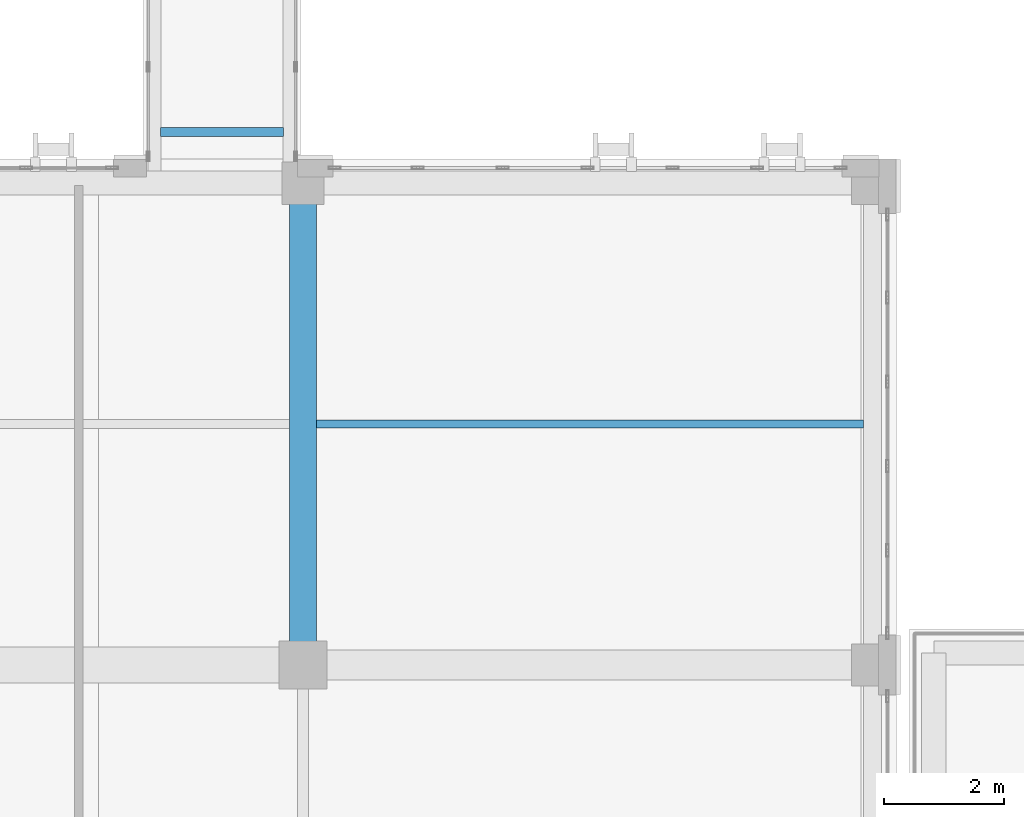
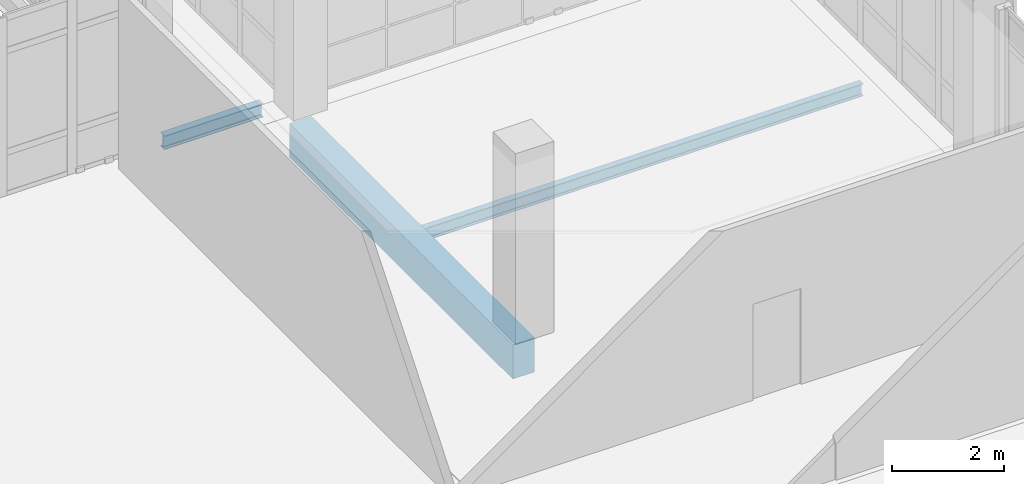
# One storey, part 45 of 165: 3 beams.
"""IFC4 building model written with IfcOpenShell, lengths in metres."""

import ifcopenshell
import ifcopenshell.guid

model = None  # the IFC model being written
_history = None  # IfcOwnerHistory: only IFC2X3 demands one
_inside = {}  # id of a spatial element -> (the spatial element, [elements in it])
_under = {}  # id of a project, library or spatial element -> (it, [spatial elements below it])
_declared = {}  # id of a project -> (the project, [libraries it declares])
_typed = {}  # id of a type object -> (the type object, [elements of that type])
_made_of = {}  # id of a material, layer set ... -> (it, [elements and type objects made of it])


def new_model(schema):
    """Start an empty IFC model of exactly this schema.

    Asked for "IFC4X3", IfcOpenShell would pick the latest addendum, in which some entities
    have other attributes; the version numbers below select the first issue.
    IFC2X3 requires an IfcOwnerHistory on every rooted entity: one is made here for all.
    """
    global model, _history
    if schema == "IFC4X3":
        model = ifcopenshell.file(schema_version=(4, 3, 0, 0))
    else:
        model = ifcopenshell.file(schema=schema)
    _inside.clear()
    _under.clear()
    _declared.clear()
    _typed.clear()
    _made_of.clear()
    _history = None
    if model.schema == "IFC2X3":
        org = make("IfcOrganization", Name="unknown")
        user = make(
            "IfcPersonAndOrganization",
            ThePerson=make("IfcPerson", FamilyName="unknown"),
            TheOrganization=org,
        )
        app = make(
            "IfcApplication",
            ApplicationDeveloper=org,
            Version="unknown",
            ApplicationFullName="unknown",
            ApplicationIdentifier="unknown",
        )
        _history = make(
            "IfcOwnerHistory",
            OwningUser=user,
            OwningApplication=app,
            ChangeAction="ADDED",
            CreationDate=0,
        )
    return model


def make(cls, **values):
    """One entity of the class cls with the attributes given. An attribute that is None is left unset."""
    return model.create_entity(
        cls, **{name: value for name, value in values.items() if value is not None}
    )


def rooted(cls, **values):
    """An entity with a GlobalId (a new one), such as an element, a storey or a relation."""
    return make(cls, GlobalId=ifcopenshell.guid.new(), OwnerHistory=_history, **values)


def si_unit(unit_type, name, prefix=None):
    """IfcSIUnit, for example si_unit("LENGTHUNIT", "METRE", prefix="MILLI")."""
    return make("IfcSIUnit", UnitType=unit_type, Prefix=prefix, Name=name)


def assignment(units):
    """IfcUnitAssignment: the units of a project."""
    return None if units is None else make("IfcUnitAssignment", Units=units)


def point(xyz):
    """IfcCartesianPoint."""
    return None if xyz is None else make("IfcCartesianPoint", Coordinates=xyz)


def direction(xyz):
    """IfcDirection."""
    return None if xyz is None else make("IfcDirection", DirectionRatios=xyz)


def frame(location, z_axis=None, x_axis=None):
    """IfcAxis2Placement3D, a coordinate frame: its origin and axes. An axis left out is left unset."""
    return make(
        "IfcAxis2Placement3D",
        Location=point(location),
        Axis=direction(z_axis),
        RefDirection=direction(x_axis),
    )


def frame_2d(location, x_axis=None):
    """IfcAxis2Placement2D, a coordinate frame in the plane: its origin and x axis."""
    return make(
        "IfcAxis2Placement2D", Location=point(location), RefDirection=direction(x_axis)
    )


def origin():
    """The frame at (0, 0, 0) with its axes left unset."""
    return frame((0.0, 0.0, 0.0))


def origin_2d():
    """The frame at (0, 0) in the plane with its x axis left unset."""
    return frame_2d((0.0, 0.0))


def place(relative_to, where):
    """IfcLocalPlacement: puts the frame where relative to a parent placement (None: the world)."""
    return make(
        "IfcLocalPlacement", PlacementRelTo=relative_to, RelativePlacement=where
    )


def context(
    kind, dimensions, precision=None, world=None, true_north=None, identifier=None
):
    """IfcGeometricRepresentationContext, for example the 3D "Model" context."""
    return make(
        "IfcGeometricRepresentationContext",
        ContextIdentifier=identifier,
        ContextType=kind,
        CoordinateSpaceDimension=dimensions,
        Precision=precision,
        WorldCoordinateSystem=world,
        TrueNorth=true_north,
    )


def subcontext(parent, identifier, kind, view, scale=None):
    """IfcGeometricRepresentationSubContext, for example "Body" below "Model"."""
    return make(
        "IfcGeometricRepresentationSubContext",
        ContextIdentifier=identifier,
        ContextType=kind,
        ParentContext=parent,
        TargetScale=scale,
        TargetView=view,
    )


def project(units=None, contexts=None):
    """IfcProject with its units and contexts."""
    return rooted(
        "IfcProject",
        Name="project",
        RepresentationContexts=contexts,
        UnitsInContext=assignment(units),
    )


def spatial(cls, under=None, at=None, **own):
    """A site, building, storey or space (cls), placed at a placement, below another one or the project."""
    s = rooted(cls, ObjectPlacement=at, **own)
    if under is not None:
        _under.setdefault(under.id(), (under, []))[1].append(s)
    return s


def profile(cls, at=None, kind="AREA", **sizes):
    """A parametric profile (cls). Its sizes go by their IFC names, for example OverallWidth=200.0."""
    return make(cls, ProfileType=kind, Position=at, **sizes)


def rectangle(**sizes):
    """IfcRectangleProfileDef."""
    return profile("IfcRectangleProfileDef", **sizes)


def i_section(**sizes):
    """IfcIShapeProfileDef."""
    return profile("IfcIShapeProfileDef", **sizes)


def extrude(swept, where, along, depth):
    """IfcExtrudedAreaSolid: the profile swept, set in the frame where, extruded along a direction by depth."""
    return make(
        "IfcExtrudedAreaSolid",
        SweptArea=swept,
        Position=where,
        ExtrudedDirection=direction(along),
        Depth=depth,
    )


def shape(context_of_items, identifier, shape_type, items):
    """IfcShapeRepresentation: the items that make up one representation, for example the "Body"."""
    return make(
        "IfcShapeRepresentation",
        ContextOfItems=context_of_items,
        RepresentationIdentifier=identifier,
        RepresentationType=shape_type,
        Items=items,
    )


def material(Name=None, Category=None):
    """IfcMaterial."""
    return make("IfcMaterial", Name=Name, Category=Category)


def material_profile(
    of_material, cross_section, Name=None, Category=None, Priority=None
):
    """IfcMaterialProfile: a cross section and its material."""
    return make(
        "IfcMaterialProfile",
        Name=Name,
        Material=of_material,
        Profile=cross_section,
        Priority=Priority,
        Category=Category,
    )


def profile_set(profiles, Name=None, composite=None):
    """IfcMaterialProfileSet."""
    return make(
        "IfcMaterialProfileSet",
        Name=Name,
        MaterialProfiles=profiles,
        CompositeProfile=composite,
    )


def made_of(thing, what):
    """Note that an element or type object is made of a material, layer set ...; save() writes the relation."""
    if what is not None:
        _made_of.setdefault(what.id(), (what, []))[1].append(thing)
    return thing


def type_object(cls, material=None, **own):
    """A type object (cls), such as IfcWallType, which elements share."""
    return made_of(rooted(cls, **own), material)


def element(
    cls,
    number,
    at=None,
    inside=None,
    cuts=None,
    type_object=None,
    material=None,
    context=None,
    identifier="Body",
    shape_type=None,
    held_by="IfcProductDefinitionShape",
    body=None,
    shapes=None,
    **own,
):
    """One element of the class cls, such as IfcWall. Its Tag is "e" and its number.

    at: its placement. inside: the storey or other place that contains it. cuts: it is an
    opening in that element (IfcRelVoidsElement). A single representation is given by context,
    identifier, shape_type and body (its items); several are given by shapes. held_by: the class
    of the entity that holds the representations. save() writes the other relations.
    """
    e = rooted(cls, Tag="e%d" % number, ObjectPlacement=at, **own)
    if body is not None:
        shapes = [shape(context, identifier, shape_type, body)]
    if shapes is not None:
        e.Representation = make(held_by, Representations=shapes)
    if inside is not None:
        _inside.setdefault(inside.id(), (inside, []))[1].append(e)
    if cuts is not None:
        rooted(
            "IfcRelVoidsElement", RelatingBuildingElement=cuts, RelatedOpeningElement=e
        )
    if type_object is not None:
        _typed.setdefault(type_object.id(), (type_object, []))[1].append(e)
    return made_of(e, material)


def aggregate(whole, parts):
    """IfcRelAggregates: a whole, such as a stair, and the parts it consists of."""
    return rooted("IfcRelAggregates", RelatingObject=whole, RelatedObjects=parts)


def save(model, path):
    """Write the relations noted so far, then the file.

    IfcRelAggregates (storeys below a building ...), IfcRelContainedInSpatialStructure (elements
    in a storey), IfcRelDefinesByType, IfcRelAssociatesMaterial and IfcRelDeclares: one each for
    every whole, place, type object, material and project.
    """
    for whole, parts in _under.values():
        aggregate(whole, parts)
    for where, things in _inside.values():
        rooted(
            "IfcRelContainedInSpatialStructure",
            RelatedElements=things,
            RelatingStructure=where,
        )
    for kind, things in _typed.values():
        rooted("IfcRelDefinesByType", RelatedObjects=things, RelatingType=kind)
    for what, things in _made_of.values():
        rooted("IfcRelAssociatesMaterial", RelatedObjects=things, RelatingMaterial=what)
    for by, libraries in _declared.values():
        rooted("IfcRelDeclares", RelatingContext=by, RelatedDefinitions=libraries)
    model.write(path)


model = new_model("IFC4")

# Units and contexts
model_context = context("Model", 3, precision=1e-05, world=origin(), true_north=direction((0.0, 1.0)))
body_context = subcontext(model_context, "Body", "Model", "MODEL_VIEW")
ifc_project = project(units=[si_unit("LENGTHUNIT", "METRE"), si_unit("AREAUNIT", "SQUARE_METRE"), si_unit("VOLUMEUNIT", "CUBIC_METRE"), si_unit("PLANEANGLEUNIT", "RADIAN"), si_unit("MASSUNIT", "GRAM", prefix="KILO")], contexts=[model_context])

# Site, building, storey
site_placement = place(None, origin())
site = spatial("IfcSite", under=ifc_project, at=site_placement, CompositionType="ELEMENT")
building_placement = place(site_placement, origin())
building = spatial("IfcBuilding", under=site, at=building_placement, Name="Qalavern Law Courts", CompositionType="ELEMENT")
storey_placement = place(building_placement, frame((0.0, 0.0, 14.39990234375)))
storey = spatial("IfcBuildingStorey", under=building, at=storey_placement, Name="L03", CompositionType="ELEMENT", Elevation=14.39990234375)

# Beams
ifc_material_1 = material(Name="Concrete C40/50", Category="concrete")
ifc_material_profile_1 = material_profile(ifc_material_1, rectangle(XDim=0.449951171875, YDim=0.75, at=origin_2d()), Name="RC 450x750")
ifc_profile_set_1 = profile_set([ifc_material_profile_1], Name="Concrete C40/50")
beam_type_1 = type_object("IfcBeamType", Name="STR-BM-RC450x750", PredefinedType="BEAM", material=ifc_profile_set_1)
beam_1_placement = place(storey_placement, frame((91.345703125, 22.0, -0.659912109375), z_axis=(0.0, 1.0, 0.0), x_axis=(-1.0, 0.0, 0.0)))
element("IfcBeam", 1, at=beam_1_placement, inside=storey, type_object=beam_type_1, Name="V2 Y-beam 7-3 L03", PredefinedType="BEAM", context=body_context, shape_type="SweptSolid", body=[
    extrude(rectangle(XDim=0.449951171875, YDim=0.75, at=origin_2d()), origin(), (0.0, 0.0, 1.0), 8.0),
])
ifc_material_2 = material(Name="Steel S355", Category="steel")
ifc_material_profile_2 = material_profile(ifc_material_2, i_section(OverallWidth=0.135009765625, OverallDepth=0.27001953125, WebThickness=0.006591796875, FlangeThickness=0.01025390625, FilletRadius=0.014892578125, at=origin_2d()), Name="IPE 270")
ifc_profile_set_2 = profile_set([ifc_material_profile_2], Name="Steel S355")
beam_type_2 = type_object("IfcBeamType", Name="STR-JST-IPE270", PredefinedType="JOIST", material=ifc_profile_set_2)
beam_2_placement = place(storey_placement, frame((91.568603515625, 26.0, -0.419921875), z_axis=(1.0, 0.0, 0.0), x_axis=(0.0, 1.0, 0.0)))
element("IfcBeam", 2, at=beam_2_placement, inside=storey, type_object=beam_type_2, Name="V2 secondary joist 7.3.1 L03", PredefinedType="JOIST", context=body_context, shape_type="SweptSolid", body=[
    extrude(i_section(OverallWidth=0.135009765625, OverallDepth=0.27001953125, WebThickness=0.006591796875, FlangeThickness=0.01025390625, FilletRadius=0.014892578125, at=origin_2d()), origin(), (0.0, 0.0, 1.0), 9.08349609375),
])
ifc_material_profile_3 = material_profile(ifc_material_2, i_section(OverallWidth=0.14990234375, OverallDepth=0.300048828125, WebThickness=0.007080078125, FlangeThickness=0.0107421875, FilletRadius=0.014892578125, at=origin_2d()), Name="IPE 300")
ifc_profile_set_3 = profile_set([ifc_material_profile_3], Name="Steel S355")
beam_type_3 = type_object("IfcBeamType", Name="STR-JST-IPE300", PredefinedType="JOIST", material=ifc_profile_set_3)
beam_3_placement = place(storey_placement, frame((88.97998046875, 30.85009765625, -0.434814453125), z_axis=(1.0, 0.0, 0.0), x_axis=(0.0, 1.0, 0.0)))
element("IfcBeam", 3, at=beam_3_placement, inside=storey, type_object=beam_type_3, Name="Bridge BR-V2-V4 cross beam 1 L03", PredefinedType="JOIST", context=body_context, shape_type="SweptSolid", body=[
    extrude(i_section(OverallWidth=0.14990234375, OverallDepth=0.300048828125, WebThickness=0.007080078125, FlangeThickness=0.0107421875, FilletRadius=0.014892578125, at=origin_2d()), origin(), (0.0, 0.0, 1.0), 2.0400390625),
])

save(model, "model.ifc")
